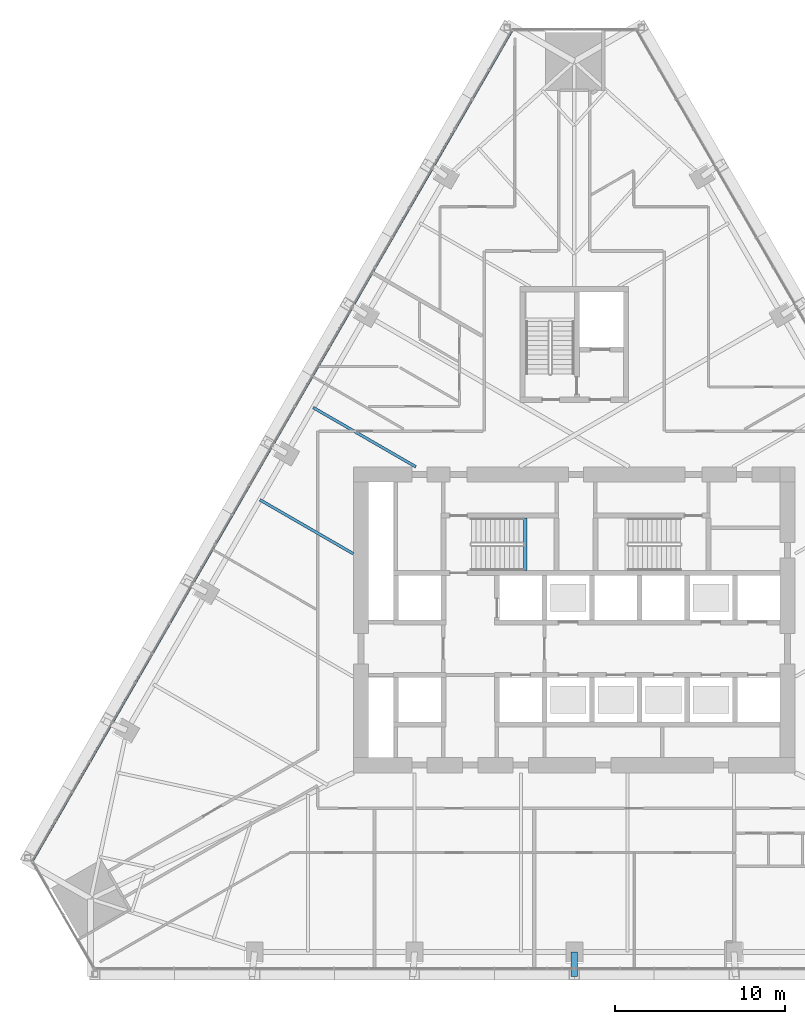
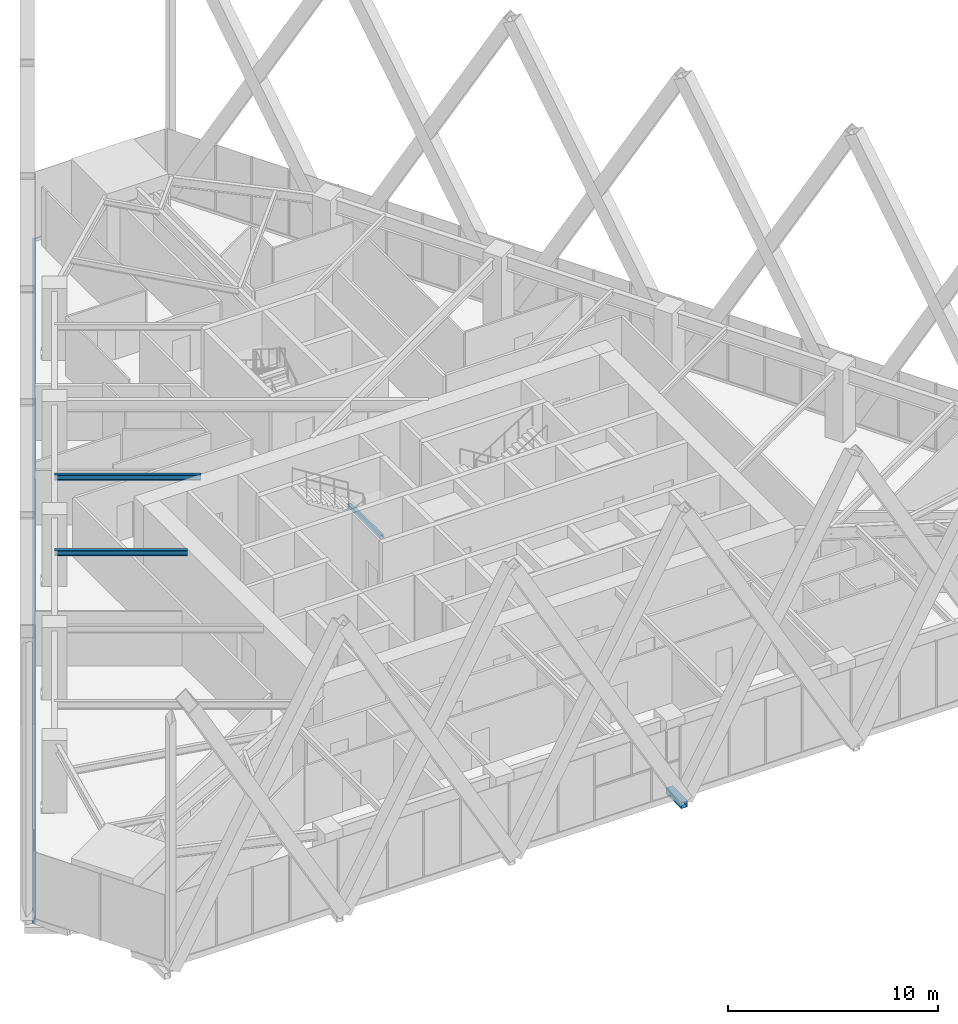
# One storey, part 4 of 21: 3 beams, 2 members, 1 element without a shape of its own.
"""IFC4 building model written with IfcOpenShell, lengths in metres."""

from ifc_helpers import new_model, si_unit, direction, frame, origin, origin_2d, place, context, subcontext, project, spatial, rectangle, hollow_rectangle, i_section, extrude, material, layer, layer_set, material_profile, profile_set, type_object, element, aggregate, save


model = new_model("IFC4")

# Units and contexts
model_context = context("Model", 3, precision=1e-05, world=origin(), true_north=direction((0.0, 1.0)))
body_context = subcontext(model_context, "Body", "Model", "MODEL_VIEW")
ifc_project = project(units=[si_unit("LENGTHUNIT", "METRE"), si_unit("AREAUNIT", "SQUARE_METRE"), si_unit("VOLUMEUNIT", "CUBIC_METRE"), si_unit("PLANEANGLEUNIT", "RADIAN"), si_unit("MASSUNIT", "GRAM", prefix="KILO")], contexts=[model_context])

# Site, building, storey
site_placement = place(None, origin())
site = spatial("IfcSite", under=ifc_project, at=site_placement, CompositionType="ELEMENT")
building_placement = place(site_placement, origin())
building = spatial("IfcBuilding", under=site, at=building_placement, Name="Firuza Gate Tower and Library", CompositionType="ELEMENT")
storey_placement = place(building_placement, frame((0.0, 0.0, 90.39990234375)))
storey = spatial("IfcBuildingStorey", under=building, at=storey_placement, Name="L20", CompositionType="ELEMENT", Elevation=90.39990234375)

# Curtain wall, member
ifc_material_1 = material(Name="Aluminium 6063-T6", Category="aluminium")
ifc_layer = layer(ifc_material_1, 0.14990234375)
ifc_layer_set = layer_set([ifc_layer], Name="Unitised curtain wall, offices")
curtain_wall_type = type_object("IfcCurtainWallType", Name="Unitised curtain wall, offices", PredefinedType="NOTDEFINED", material=ifc_layer_set)
curtain_wall_placement = place(storey_placement, origin())
curtain_wall = element("IfcCurtainWall", 1, at=curtain_wall_placement, inside=storey, type_object=curtain_wall_type, Name="CW1 L20 W face", PredefinedType="NOTDEFINED")
ifc_material_2 = material(Name="Aluminium 6063-T6", Category="aluminium")
ifc_material_profile_1 = material_profile(ifc_material_2, rectangle(XDim=0.14990234375, YDim=0.35009765625, at=origin_2d()))
ifc_profile_set_1 = profile_set([ifc_material_profile_1], Name="Aluminium 6063-T6")
member_type_1 = type_object("IfcMemberType", Name="Curtain wall transom 350x150", PredefinedType="USERDEFINED", material=ifc_profile_set_1)
member_1_placement = place(storey_placement, frame((71.356689453125, 109.727783203125, -0.02490234375), z_axis=(-0.499998712401, -0.866026147179, 0.0), x_axis=(0.866026147179, -0.499998712401, 0.0)))
member_1 = element("IfcMember", 2, at=member_1_placement, type_object=member_type_1, Name="Transom", ObjectType="TRANSOM", PredefinedType="USERDEFINED", context=body_context, shape_type="SweptSolid", body=[
    extrude(rectangle(XDim=0.14990234375, YDim=0.35009765625, at=origin_2d()), origin(), (0.0, 0.0, 1.0), 56.507080078125),
])
aggregate(curtain_wall, [member_1])

# Member
ifc_material_3 = material(Name="Steel S355", Category="steel")
ifc_material_profile_2 = material_profile(ifc_material_3, hollow_rectangle(XDim=0.355712890625, YDim=0.355712890625, WallThickness=0.014892578125, at=origin_2d()))
ifc_profile_set_2 = profile_set([ifc_material_profile_2], Name="Steel S355")
member_type_2 = type_object("IfcMemberType", Name="HSS356x356x16 Lattice node tie", PredefinedType="BRACE", material=ifc_profile_set_2)
member_2_placement = place(storey_placement, frame((75.0, 55.4560546875, -0.31982421875), z_axis=(0.0, -1.0, 0.0), x_axis=(1.0, 0.0, 0.0)))
element("IfcMember", 3, at=member_2_placement, inside=storey, type_object=member_type_2, Name="Lattice node tie S L20 74", PredefinedType="BRACE", context=body_context, shape_type="SweptSolid", body=[
    extrude(hollow_rectangle(XDim=0.355712890625, YDim=0.355712890625, WallThickness=0.014892578125, at=origin_2d()), origin(), (0.0, 0.0, 1.0), 1.44189453125),
])

# Beams
ifc_material_4 = material(Name="Concrete C35/45", Category="concrete")
ifc_material_profile_3 = material_profile(ifc_material_4, rectangle(XDim=0.199951171875, YDim=0.199951171875, at=origin_2d()))
ifc_profile_set_3 = profile_set([ifc_material_profile_3], Name="Concrete C35/45")
beam_type_1 = type_object("IfcBeamType", Name="Stair landing bearer 200x200", PredefinedType="BEAM", material=ifc_profile_set_3)
beam_1_placement = place(storey_placement, frame((72.1201171875, 77.89990234375, 1.800048828125), z_axis=(0.0, 1.0, 0.0), x_axis=(-1.0, 0.0, 0.0)))
element("IfcBeam", 4, at=beam_1_placement, inside=storey, type_object=beam_type_1, Name="Landing bearer L20 stair 1", PredefinedType="BEAM", context=body_context, shape_type="SweptSolid", body=[
    extrude(rectangle(XDim=0.199951171875, YDim=0.199951171875, at=origin_2d()), origin(), (0.0, 0.0, 1.0), 3.080078125),
])
ifc_material_5 = material(Name="Steel S355", Category="steel")
ifc_material_profile_4 = material_profile(ifc_material_5, i_section(OverallWidth=0.1650390625, OverallDepth=0.31005859375, WebThickness=0.005859375, FlangeThickness=0.009765625, at=origin_2d()))
ifc_profile_set_4 = profile_set([ifc_material_profile_4], Name="Steel S355")
beam_type_2 = type_object("IfcBeamType", Name="W310x39 Floor beam", PredefinedType="JOIST", material=ifc_profile_set_4)
beam_2_placement = place(storey_placement, frame((59.6416015625, 87.486572265625, 3.84521484375), z_axis=(0.866021748659, -0.50000633081, 0.0), x_axis=(0.50000633081, 0.866021748659, 0.0)))
element("IfcBeam", 5, at=beam_2_placement, inside=storey, type_object=beam_type_2, Name="Floor beam L20 s82", PredefinedType="JOIST", context=body_context, shape_type="SweptSolid", body=[
    extrude(i_section(OverallWidth=0.1650390625, OverallDepth=0.31005859375, WebThickness=0.005859375, FlangeThickness=0.009765625, at=origin_2d()), origin(), (0.0, 0.0, 1.0), 6.97314453125),
])
beam_3_placement = place(storey_placement, frame((56.507080078125, 82.0576171875, 3.84521484375), z_axis=(0.866022132074, -0.500005666725, 0.0), x_axis=(0.500005666725, 0.866022132074, 0.0)))
element("IfcBeam", 6, at=beam_3_placement, inside=storey, type_object=beam_type_2, Name="Floor beam L20 s83", PredefinedType="JOIST", context=body_context, shape_type="SweptSolid", body=[
    extrude(i_section(OverallWidth=0.1650390625, OverallDepth=0.31005859375, WebThickness=0.005859375, FlangeThickness=0.009765625, at=origin_2d()), origin(), (0.0, 0.0, 1.0), 6.3427734375),
])

save(model, "model.ifc")
